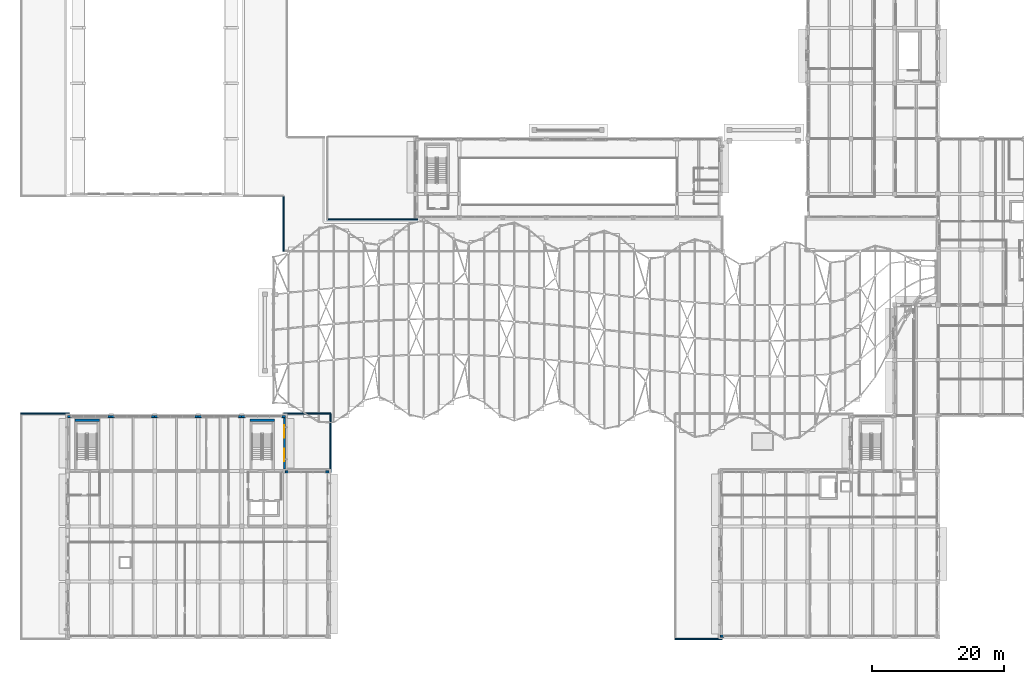
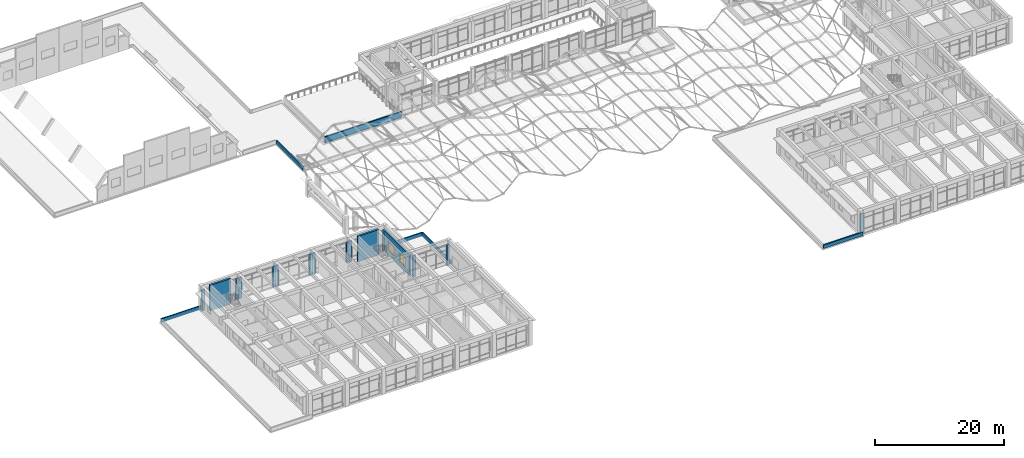
# One storey, part 52 of 79: 22 walls, 2 windows, 2 openings.
"""IFC4 building model written with IfcOpenShell, lengths in metres."""

from ifc_helpers import new_model, si_unit, direction, frame, frame_2d, origin, place, context, subcontext, project, spatial, rectangle, extrude, material, layer, layer_set, type_object, element, fill, save


model = new_model("IFC4")

# Units and contexts
model_context = context("Model", 3, precision=1e-05, world=origin(), true_north=direction((0.0, 1.0)))
body_context = subcontext(model_context, "Body", "Model", "MODEL_VIEW")
ifc_project = project(units=[si_unit("LENGTHUNIT", "METRE"), si_unit("AREAUNIT", "SQUARE_METRE"), si_unit("VOLUMEUNIT", "CUBIC_METRE"), si_unit("PLANEANGLEUNIT", "RADIAN"), si_unit("MASSUNIT", "GRAM", prefix="KILO")], contexts=[model_context])

# Site, building, storey
site_placement = place(None, origin())
site = spatial("IfcSite", under=ifc_project, at=site_placement, CompositionType="ELEMENT")
building_placement = place(site_placement, origin())
building = spatial("IfcBuilding", under=site, at=building_placement, Name="Kolvaren Faculty of Natural Sciences", CompositionType="ELEMENT")
storey_placement = place(building_placement, frame((0.0, 0.0, 10.199951171875)))
storey = spatial("IfcBuildingStorey", under=building, at=storey_placement, Name="L02", CompositionType="ELEMENT", Elevation=10.199951171875)

# Walls
ifc_material_1 = material(Name="Concrete C40/50", Category="concrete")
ifc_layer_1 = layer(ifc_material_1, 0.35009765625)
ifc_layer_set_1 = layer_set([ifc_layer_1], Name="Concrete C40/50")
wall_type_1 = type_object("IfcWallType", Name="CoreShearWall_350", PredefinedType="SHEAR", material=ifc_layer_set_1)
for number, where, z_axis, x_axis, name in (
    (1, (34.425048828125, 41.5, 0.0), (0.0, 0.0, 1.0), (1.0, 0.0, 0.0), "L02 CORE-C4 stair shear wall N"),
    (2, (7.875, 41.5, 0.0), (0.0, 0.0, 1.0), (1.0, 0.0, 0.0), "L02 CORE-C8 stair shear wall N"),
):
    element("IfcWall", number, at=place(storey_placement, frame(where, z_axis=z_axis, x_axis=x_axis)), inside=storey, type_object=wall_type_1, Name=name, PredefinedType="SHEAR", context=body_context, shape_type="SweptSolid", body=[
        extrude(rectangle(XDim=3.75, YDim=0.35009765625, at=frame_2d((1.875, 0.0))), origin(), (0.0, 0.0, 1.0), 4.800048828125),
    ])
ifc_material_2 = material(Name="Sandstone-faced insulated cavity masonry", Category="masonry")
ifc_layer_2 = layer(ifc_material_2, 0.300048828125)
ifc_layer_set_2 = layer_set([ifc_layer_2], Name="Sandstone-faced insulated cavity masonry")
wall_type_2 = type_object("IfcWallType", Name="ExteriorCavityWall_300", PredefinedType="STANDARD", material=ifc_layer_set_2)
for number, where, z_axis, x_axis, name in (
    (3, (6.800048828125, 42.050048828125, 0.0), (0.0, 0.0, 1.0), (1.0, 0.0, 0.0), "L02 curtain-wall pier stub 320"),
    (4, (12.8798828125, 42.050048828125, 0.0), (0.0, 0.0, 1.0), (1.0, 0.0, 0.0), "L02 curtain-wall pier stub 321"),
    (5, (13.39990234375, 42.050048828125, 0.0), (0.0, 0.0, 1.0), (1.0, 0.0, 0.0), "L02 curtain-wall pier stub 322"),
    (6, (19.47998046875, 42.050048828125, 0.0), (0.0, 0.0, 1.0), (1.0, 0.0, 0.0), "L02 curtain-wall pier stub 323"),
    (7, (20.0, 42.050048828125, 0.0), (0.0, 0.0, 1.0), (1.0, 0.0, 0.0), "L02 curtain-wall pier stub 324"),
    (8, (26.080078125, 42.050048828125, 0.0), (0.0, 0.0, 1.0), (1.0, 0.0, 0.0), "L02 curtain-wall pier stub 325"),
    (9, (26.60009765625, 42.050048828125, 0.0), (0.0, 0.0, 1.0), (1.0, 0.0, 0.0), "L02 curtain-wall pier stub 326"),
    (10, (32.679931640625, 42.050048828125, 0.0), (0.0, 0.0, 1.0), (1.0, 0.0, 0.0), "L02 curtain-wall pier stub 327"),
    (11, (33.199951171875, 42.050048828125, 0.0), (0.0, 0.0, 1.0), (1.0, 0.0, 0.0), "L02 curtain-wall pier stub 328"),
    (12, (39.280029296875, 42.050048828125, 0.0), (0.0, 0.0, 1.0), (1.0, 0.0, 0.0), "L02 curtain-wall pier stub 329"),
):
    element("IfcWall", number, at=place(storey_placement, frame(where, z_axis=z_axis, x_axis=x_axis)), inside=storey, type_object=wall_type_2, Name=name, PredefinedType="STANDARD", context=body_context, shape_type="SweptSolid", body=[
        extrude(rectangle(XDim=0.52001953125, YDim=0.300048828125, at=frame_2d((0.260009765625, 0.0))), origin(), (0.0, 0.0, 1.0), 3.93505859375),
    ])

# Wall, openings, windows
wall_1_placement = place(storey_placement, frame((39.64990234375, 41.89990234375, 0.0), z_axis=(0.0, 0.0, 1.0), x_axis=(0.0, -1.0, 0.0)))
wall_1 = element("IfcWall", 13, at=wall_1_placement, inside=storey, type_object=wall_type_2, Name="L02 exterior masonry wall EW-300 (330)", PredefinedType="STANDARD", context=body_context, shape_type="SweptSolid", body=[
    extrude(rectangle(XDim=7.7998046875, YDim=0.300048828125, at=frame_2d((3.89990234375, 0.0))), origin(), (0.0, 0.0, 1.0), 3.93505859375),
])
opening_1_placement = place(wall_1_placement, frame((1.180908203125, 0.0, 0.89990234375)))
opening_1 = element("IfcOpeningElement", 14, at=opening_1_placement, cuts=wall_1, Name="Opening WIN-16", PredefinedType="OPENING", context=body_context, shape_type="SweptSolid", body=[
    extrude(rectangle(XDim=1.85009765625, YDim=1.60009765625, at=frame_2d((0.925048828125, 0.800048828125))), frame((0.0, 0.159912109375, 0.0), z_axis=(0.0, -1.0, 0.0), x_axis=(1.0, 0.0, 0.0)), (0.0, 0.0, 1.0), 0.320068359375),
])
opening_2_placement = place(wall_1_placement, frame((4.76904296875, 0.0, 0.89990234375)))
opening_2 = element("IfcOpeningElement", 15, at=opening_2_placement, cuts=wall_1, Name="Opening WIN-16", PredefinedType="OPENING", context=body_context, shape_type="SweptSolid", body=[
    extrude(rectangle(XDim=1.85009765625, YDim=1.60009765625, at=frame_2d((0.925048828125, 0.800048828125))), frame((0.0, 0.159912109375, 0.0), z_axis=(0.0, -1.0, 0.0), x_axis=(1.0, 0.0, 0.0)), (0.0, 0.0, 1.0), 0.320068359375),
])
ifc_material_3 = material(Name="Double low-E solar control insulated glazing", Category="glass")
window_type = type_object("IfcWindowType", Name="AluWindow_WIN16_1850x1600", PartitioningType="SINGLE_PANEL", PredefinedType="WINDOW", material=ifc_material_3)
window_1_placement = place(opening_1_placement, origin())
window_1 = element("IfcWindow", 16, at=window_1_placement, inside=storey, type_object=window_type, Name="WIN-L02-0256", OverallHeight=1.60009765625, OverallWidth=1.85009765625, PartitioningType="SINGLE_PANEL", PredefinedType="WINDOW", context=body_context, shape_type="SweptSolid", body=[
    extrude(rectangle(XDim=1.85009765625, YDim=1.60009765625, at=frame_2d((0.925048828125, 0.800048828125))), frame((0.0, 0.030029296875, 0.0), z_axis=(0.0, -1.0, 0.0), x_axis=(1.0, 0.0, 0.0)), (0.0, 0.0, 1.0), 0.06005859375),
])
fill(opening_1, window_1)
window_2_placement = place(opening_2_placement, origin())
window_2 = element("IfcWindow", 17, at=window_2_placement, inside=storey, type_object=window_type, Name="WIN-L02-0257", OverallHeight=1.60009765625, OverallWidth=1.85009765625, PartitioningType="SINGLE_PANEL", PredefinedType="WINDOW", context=body_context, shape_type="SweptSolid", body=[
    extrude(rectangle(XDim=1.85009765625, YDim=1.60009765625, at=frame_2d((0.925048828125, 0.800048828125))), frame((0.0, 0.030029296875, 0.0), z_axis=(0.0, -1.0, 0.0), x_axis=(1.0, 0.0, 0.0)), (0.0, 0.0, 1.0), 0.06005859375),
])
fill(opening_2, window_2)

# Walls
for number, where, z_axis, x_axis, name in (
    (18, (39.800048828125, 33.64990234375, 0.0), (0.0, 0.0, 1.0), (1.0, 0.0, 0.0), "L02 curtain-wall pier stub 331"),
    (19, (45.8798828125, 33.64990234375, 0.0), (0.0, 0.0, 1.0), (1.0, 0.0, 0.0), "L02 curtain-wall pier stub 332"),
    (20, (106.320068359375, 8.75, 0.0), (0.0, 0.0, 1.0), (-1.0, 0.0, 0.0), "L02 curtain-wall pier stub 430"),
):
    element("IfcWall", number, at=place(storey_placement, frame(where, z_axis=z_axis, x_axis=x_axis)), inside=storey, type_object=wall_type_2, Name=name, PredefinedType="STANDARD", context=body_context, shape_type="SweptSolid", body=[
        extrude(rectangle(XDim=0.52001953125, YDim=0.300048828125, at=frame_2d((0.260009765625, 0.0))), origin(), (0.0, 0.0, 1.0), 3.93505859375),
    ])
ifc_material_4 = material(Name="Precast concrete C35/45", Category="concrete")
ifc_layer_3 = layer(ifc_material_4, 0.219970703125)
ifc_layer_set_3 = layer_set([ifc_layer_3], Name="Precast concrete C35/45")
wall_type_3 = type_object("IfcWallType", Name="ParapetUpstandWall_220", PredefinedType="PARAPET", material=ifc_layer_set_3)
wall_2_placement = place(storey_placement, frame((59.8798828125, 71.919921875, 0.0), z_axis=(0.0, 0.0, 1.0), x_axis=(-1.0, 0.0, 0.0)))
element("IfcWall", 21, at=wall_2_placement, inside=storey, type_object=wall_type_3, Name="L02 terrace-to-roof guard parapet divider 2", PredefinedType="PARAPET", context=body_context, shape_type="SweptSolid", body=[
    extrude(rectangle(XDim=13.759765625, YDim=0.219970703125, at=frame_2d((6.8798828125, 0.0))), origin(), (0.0, 0.0, 1.0), 1.1201171875),
])
wall_3_placement = place(storey_placement, frame((-0.280029296875, 42.47998046875, 0.0), z_axis=(0.0, 0.0, 1.0), x_axis=(1.0, 0.0, 0.0)))
element("IfcWall", 22, at=wall_3_placement, inside=storey, type_object=wall_type_3, Name="L02 architectural sandstone roof parapet 21", PredefinedType="PARAPET", context=body_context, shape_type="SweptSolid", body=[
    extrude(rectangle(XDim=7.31005859375, YDim=0.219970703125, at=frame_2d((3.655029296875, 0.0))), origin(), (0.0, 0.0, 1.0), 0.679931640625),
])
wall_4_placement = place(storey_placement, frame((106.030029296875, 8.320068359375, 0.0), z_axis=(0.0, 0.0, 1.0), x_axis=(-1.0, 0.0, 0.0)))
element("IfcWall", 23, at=wall_4_placement, inside=storey, type_object=wall_type_3, Name="L02 architectural sandstone roof parapet 22", PredefinedType="PARAPET", context=body_context, shape_type="SweptSolid", body=[
    extrude(rectangle(XDim=7.110107421875, YDim=0.219970703125, at=frame_2d((3.55517578125, 0.0))), origin(), (0.0, 0.0, 1.0), 0.679931640625),
])
wall_5_placement = place(storey_placement, frame((39.570068359375, 42.47998046875, 0.0), z_axis=(0.0, 0.0, 1.0), x_axis=(1.0, 0.0, 0.0)))
element("IfcWall", 24, at=wall_5_placement, inside=storey, type_object=wall_type_3, Name="L02 architectural sandstone roof parapet 25", PredefinedType="PARAPET", context=body_context, shape_type="SweptSolid", body=[
    extrude(rectangle(XDim=7.10986328125, YDim=0.219970703125, at=frame_2d((3.554931640625, 0.0))), origin(), (0.0, 0.0, 1.0), 0.679931640625),
])
wall_6_placement = place(storey_placement, frame((46.679931640625, 42.47998046875, 0.0), z_axis=(0.0, 0.0, 1.0), x_axis=(0.0, -1.0, 0.0)))
element("IfcWall", 25, at=wall_6_placement, inside=storey, type_object=wall_type_3, Name="L02 architectural sandstone roof parapet 26", PredefinedType="PARAPET", context=body_context, shape_type="SweptSolid", body=[
    extrude(rectangle(XDim=8.909912109375, YDim=0.219970703125, at=frame_2d((4.455078125, 0.0))), origin(), (0.0, 0.0, 1.0), 0.679931640625),
])
wall_7_placement = place(storey_placement, frame((39.52001953125, 67.1201171875, 0.0), z_axis=(0.0, 0.0, 1.0), x_axis=(0.0, 1.0, 0.0)))
element("IfcWall", 26, at=wall_7_placement, inside=storey, type_object=wall_type_3, Name="L02 architectural sandstone roof parapet 31", PredefinedType="PARAPET", context=body_context, shape_type="SweptSolid", body=[
    extrude(rectangle(XDim=8.25, YDim=0.219970703125, at=frame_2d((4.125, 0.0))), origin(), (0.0, 0.0, 1.0), 0.679931640625),
])

save(model, "model.ifc")
